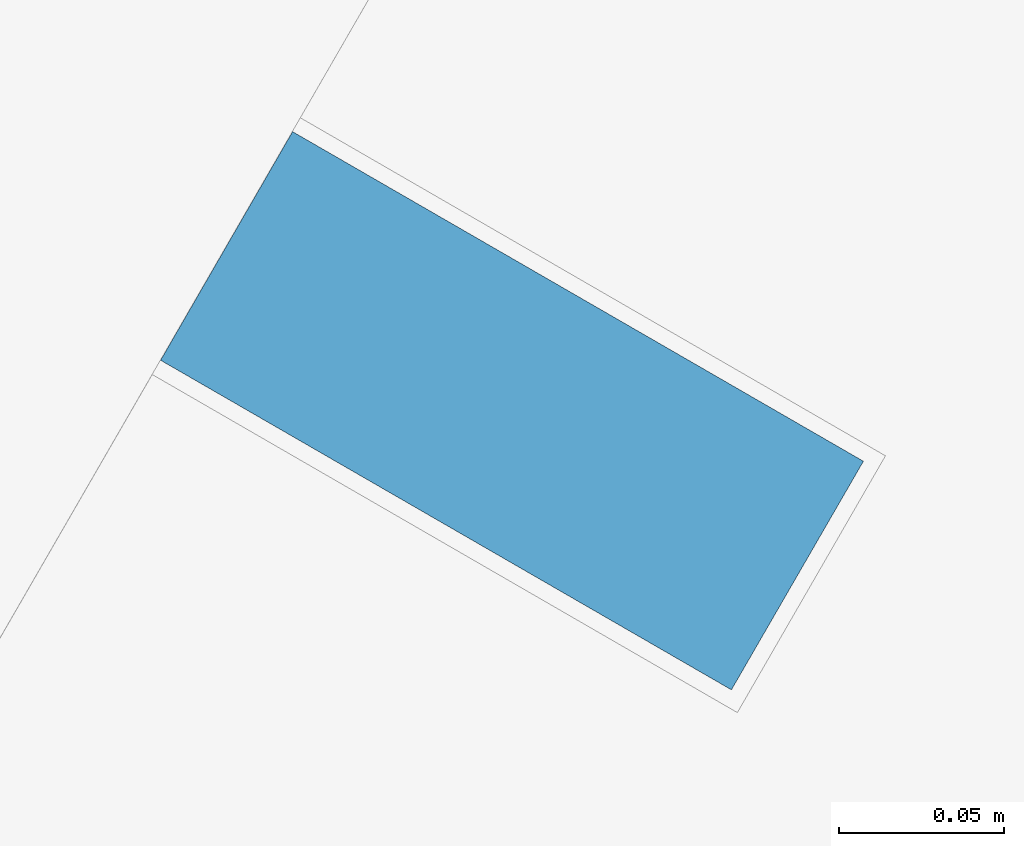
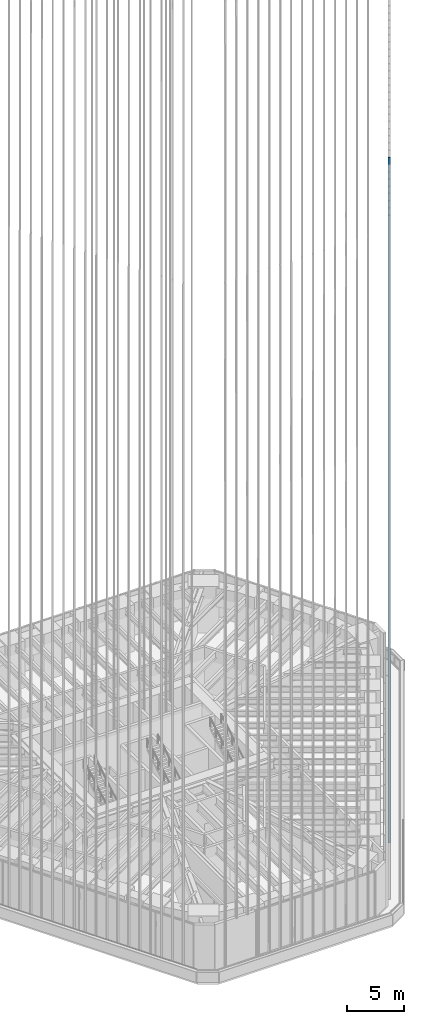
# One storey, part 91 of 228: 1 member, 1 element without a shape of its own.
"""IFC4 building model written with IfcOpenShell, lengths in metres."""

from ifc_helpers import new_model, si_unit, direction, frame, origin, origin_2d, place, context, subcontext, project, spatial, rectangle, extrude, material, material_profile, profile_set, type_object, element, aggregate, save


model = new_model("IFC4")

# Units and contexts
model_context = context("Model", 3, precision=1e-05, world=origin(), true_north=direction((0.0, 1.0)))
body_context = subcontext(model_context, "Body", "Model", "MODEL_VIEW")
ifc_project = project(units=[si_unit("LENGTHUNIT", "METRE"), si_unit("AREAUNIT", "SQUARE_METRE"), si_unit("VOLUMEUNIT", "CUBIC_METRE"), si_unit("PLANEANGLEUNIT", "RADIAN"), si_unit("MASSUNIT", "GRAM", prefix="KILO")], contexts=[model_context])

# Site, building, storey
site_placement = place(None, origin())
site = spatial("IfcSite", under=ifc_project, at=site_placement, CompositionType="ELEMENT")
building_placement = place(site_placement, origin())
building = spatial("IfcBuilding", under=site, at=building_placement, Name="Sandreach Pilgrim Tower", CompositionType="ELEMENT")
storey_placement = place(building_placement, frame((0.0, 0.0, 178.199951171875)))
storey = spatial("IfcBuildingStorey", under=building, at=storey_placement, Name="L44", CompositionType="ELEMENT", Elevation=178.199951171875)

# Curtain wall, member
ifc_material_1 = material(Name="Aluminium framed curtain wall", Category="aluminium")
curtain_wall_type = type_object("IfcCurtainWallType", Name="Upper hotel tower curtain wall", PredefinedType="NOTDEFINED", material=ifc_material_1)
curtain_wall_placement = place(storey_placement, origin())
curtain_wall = element("IfcCurtainWall", 1, at=curtain_wall_placement, inside=storey, type_object=curtain_wall_type, Name="CW-3 L44 SE", PredefinedType="NOTDEFINED")
ifc_material_2 = material(Name="Extruded terracotta on aluminium core", Category="masonry")
ifc_material_profile = material_profile(ifc_material_2, rectangle(XDim=0.080078125, YDim=0.199951171875, at=origin_2d()), Name="TBE 80X200")
ifc_profile_set = profile_set([ifc_material_profile], Name="Extruded terracotta on aluminium core")
member_type = type_object("IfcMemberType", Name="Terracotta baguette east", PredefinedType="USERDEFINED", material=ifc_profile_set)
member_placement = place(storey_placement, frame((14.817138671875, -17.456298828125, 0.0), z_axis=(0.0, 0.0, 1.0), x_axis=(-0.5, -0.866025403784, 0.0)))
member = element("IfcMember", 2, at=member_placement, type_object=member_type, Name="Baguette Z3 SE23", ObjectType="BAGUETTE", PredefinedType="USERDEFINED", context=body_context, shape_type="SweptSolid", body=[
    extrude(rectangle(XDim=0.080078125, YDim=0.199951171875, at=origin_2d()), origin(), (0.0, 0.0, 1.0), 73.239990234375),
])
aggregate(curtain_wall, [member])

save(model, "model.ifc")
